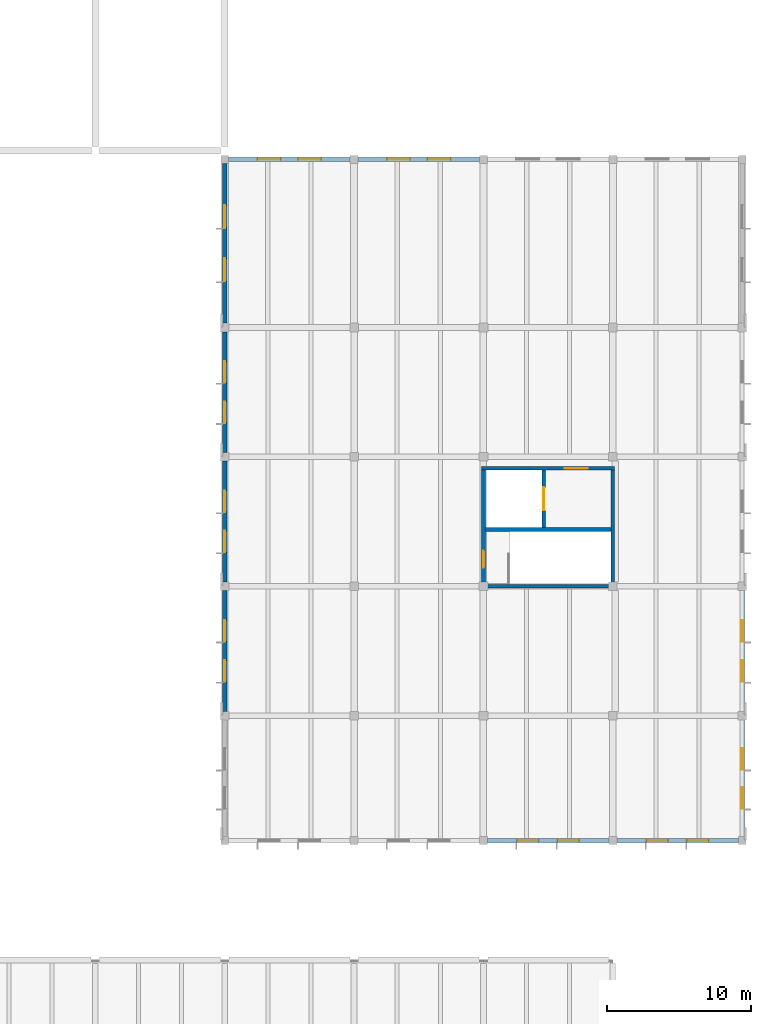
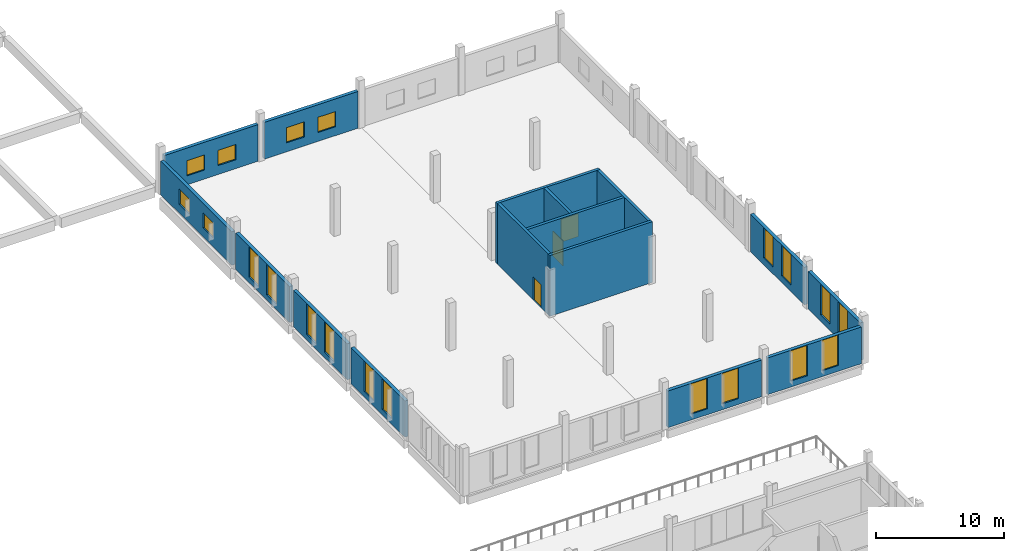
# One storey, part 15 of 25: 20 windows, 16 walls, 3 doors, 23 openings.
"""IFC4 building model written with IfcOpenShell, lengths in metres."""

from ifc_helpers import new_model, si_unit, direction, frame, frame_2d, origin, place, context, subcontext, project, spatial, rectangle, extrude, material, layer, layer_set, type_object, element, fill, save


model = new_model("IFC4")

# Units and contexts
model_context = context("Model", 3, precision=1e-05, world=origin(), true_north=direction((0.0, 1.0)))
body_context = subcontext(model_context, "Body", "Model", "MODEL_VIEW")
ifc_project = project(units=[si_unit("LENGTHUNIT", "METRE"), si_unit("AREAUNIT", "SQUARE_METRE"), si_unit("VOLUMEUNIT", "CUBIC_METRE"), si_unit("PLANEANGLEUNIT", "RADIAN"), si_unit("MASSUNIT", "GRAM", prefix="KILO")], contexts=[model_context])

# Site, building, storey
site_placement = place(None, origin())
site = spatial("IfcSite", under=ifc_project, at=site_placement, CompositionType="ELEMENT")
building_placement = place(site_placement, origin())
building = spatial("IfcBuilding", under=site, at=building_placement, Name="Zacnel Wholesale Market", CompositionType="ELEMENT")
storey_placement = place(building_placement, frame((0.0, 0.0, 15.75)))
storey = spatial("IfcBuildingStorey", under=building, at=storey_placement, Name="L04", CompositionType="ELEMENT", Elevation=15.75)

# Wall
ifc_material_1 = material(Name="Concrete C40/50", Category="concrete")
ifc_layer_1 = layer(ifc_material_1, 0.25)
ifc_layer_set_1 = layer_set([ifc_layer_1], Name="Concrete C40/50")
wall_type_1 = type_object("IfcWallType", Name="WL-CORE-SW250", PredefinedType="SOLIDWALL", material=ifc_layer_set_1)
wall_1_placement = place(storey_placement, frame((197.875, 66.0, 0.0), z_axis=(0.0, 0.0, 1.0), x_axis=(1.0, 0.0, 0.0)))
element("IfcWall", 1, at=wall_1_placement, inside=storey, type_object=wall_type_1, Name="Core C7 south shear wall L04", PredefinedType="SOLIDWALL", context=body_context, shape_type="SweptSolid", body=[
    extrude(rectangle(XDim=9.25, YDim=0.25, at=frame_2d((4.625, 0.0))), origin(), (0.0, 0.0, 1.0), 5.800048828125),
])

# Wall, opening, door
wall_2_placement = place(storey_placement, frame((197.875, 74.199951171875, 0.0), z_axis=(0.0, 0.0, 1.0), x_axis=(1.0, 0.0, 0.0)))
wall_2 = element("IfcWall", 2, at=wall_2_placement, inside=storey, type_object=wall_type_1, Name="Core C7 north shear wall L04", PredefinedType="SOLIDWALL", context=body_context, shape_type="SweptSolid", body=[
    extrude(rectangle(XDim=9.25, YDim=0.25, at=frame_2d((4.625, 0.0))), origin(), (0.0, 0.0, 1.0), 5.800048828125),
])
opening_1_placement = place(wall_2_placement, frame((5.77490234375, 0.0, 0.0)))
opening_1 = element("IfcOpeningElement", 3, at=opening_1_placement, cuts=wall_2, Name="Opening FD-02", PredefinedType="OPENING", context=body_context, shape_type="SweptSolid", body=[
    extrude(rectangle(XDim=1.60009765625, YDim=2.199951171875, at=frame_2d((0.800048828125, 1.10009765625))), frame((0.0, 0.135009765625, 0.0), z_axis=(0.0, -1.0, 0.0), x_axis=(1.0, 0.0, 0.0)), (0.0, 0.0, 1.0), 0.27001953125),
])
ifc_material_2 = material(Name="Galvanized steel", Category="steel")
door_type_1 = type_object("IfcDoorType", Name="DR-FIRE-LOBBY-1600", OperationType="NOTDEFINED", PredefinedType="DOOR", material=ifc_material_2)
door_1_placement = place(opening_1_placement, origin())
door_1 = element("IfcDoor", 4, at=door_1_placement, inside=storey, type_object=door_type_1, Name="Core lift lobby fire door C7 L04", OperationType="SINGLE_SWING_LEFT", OverallHeight=2.199951171875, OverallWidth=1.60009765625, PredefinedType="DOOR", context=body_context, shape_type="SweptSolid", body=[
    extrude(rectangle(XDim=1.60009765625, YDim=2.199951171875, at=frame_2d((0.800048828125, 1.10009765625))), frame((0.0, 0.02490234375, 0.0), z_axis=(0.0, -1.0, 0.0), x_axis=(1.0, 0.0, 0.0)), (0.0, 0.0, 1.0), 0.050048828125),
])
fill(opening_1, door_1)

wall_3_placement = place(storey_placement, frame((198.0, 66.125, 0.0), z_axis=(0.0, 0.0, 1.0), x_axis=(0.0, 1.0, 0.0)))
wall_3 = element("IfcWall", 5, at=wall_3_placement, inside=storey, type_object=wall_type_1, Name="Core C7 west shear wall L04", PredefinedType="SOLIDWALL", context=body_context, shape_type="SweptSolid", body=[
    extrude(rectangle(XDim=7.949951171875, YDim=0.25, at=frame_2d((3.97509765625, 0.0))), origin(), (0.0, 0.0, 1.0), 5.800048828125),
])
opening_2_placement = place(wall_3_placement, frame((1.14990234375, 0.0, 0.0)))
opening_2 = element("IfcOpeningElement", 6, at=opening_2_placement, cuts=wall_3, Name="Opening FD-01", PredefinedType="OPENING", context=body_context, shape_type="SweptSolid", body=[
    extrude(rectangle(XDim=1.199951171875, YDim=2.199951171875, at=frame_2d((0.60009765625, 1.10009765625))), frame((0.0, 0.135009765625, 0.0), z_axis=(0.0, -1.0, 0.0), x_axis=(1.0, 0.0, 0.0)), (0.0, 0.0, 1.0), 0.27001953125),
])
ifc_material_3 = material(Name="Galvanized steel", Category="steel")
door_type_2 = type_object("IfcDoorType", Name="DR-FIRE-STAIR-1200", OperationType="NOTDEFINED", PredefinedType="DOOR", material=ifc_material_3)
door_2_placement = place(opening_2_placement, origin())
door_2 = element("IfcDoor", 7, at=door_2_placement, inside=storey, type_object=door_type_2, Name="Protected stair fire door C7 L04", OperationType="SINGLE_SWING_RIGHT", OverallHeight=2.199951171875, OverallWidth=1.199951171875, PredefinedType="DOOR", context=body_context, shape_type="SweptSolid", body=[
    extrude(rectangle(XDim=1.199951171875, YDim=2.199951171875, at=frame_2d((0.60009765625, 1.10009765625))), frame((0.0, 0.02490234375, 0.0), z_axis=(0.0, -1.0, 0.0), x_axis=(1.0, 0.0, 0.0)), (0.0, 0.0, 1.0), 0.050048828125),
])
fill(opening_2, door_2)

# Walls
wall_4_placement = place(storey_placement, frame((207.0, 66.125, 0.0), z_axis=(0.0, 0.0, 1.0), x_axis=(0.0, 1.0, 0.0)))
element("IfcWall", 8, at=wall_4_placement, inside=storey, type_object=wall_type_1, Name="Core C7 east shear wall L04", PredefinedType="SOLIDWALL", context=body_context, shape_type="SweptSolid", body=[
    extrude(rectangle(XDim=7.949951171875, YDim=0.25, at=frame_2d((3.97509765625, 0.0))), origin(), (0.0, 0.0, 1.0), 5.800048828125),
])
wall_5_placement = place(storey_placement, frame((198.125, 69.949951171875, 0.0), z_axis=(0.0, 0.0, 1.0), x_axis=(1.0, 0.0, 0.0)))
element("IfcWall", 9, at=wall_5_placement, inside=storey, type_object=wall_type_1, Name="Core C7 stair-shaft shear wall L04", PredefinedType="SOLIDWALL", context=body_context, shape_type="SweptSolid", body=[
    extrude(rectangle(XDim=8.75, YDim=0.25, at=frame_2d((4.375, 0.0))), origin(), (0.0, 0.0, 1.0), 5.800048828125),
])

# Wall, opening, door
wall_6_placement = place(storey_placement, frame((202.199951171875, 70.074951171875, 0.0), z_axis=(0.0, 0.0, 1.0), x_axis=(0.0, 1.0, 0.0)))
wall_6 = element("IfcWall", 10, at=wall_6_placement, inside=storey, type_object=wall_type_1, Name="Core C7 lift shaft front wall L04", PredefinedType="SOLIDWALL", context=body_context, shape_type="SweptSolid", body=[
    extrude(rectangle(XDim=4.0, YDim=0.25, at=frame_2d((2.0, 0.0))), origin(), (0.0, 0.0, 1.0), 5.800048828125),
])
opening_3_placement = place(wall_6_placement, frame((1.199951171875, 0.0, 0.0)))
opening_3 = element("IfcOpeningElement", 11, at=opening_3_placement, cuts=wall_6, Name="Opening LD-02", PredefinedType="OPENING", context=body_context, shape_type="SweptSolid", body=[
    extrude(rectangle(XDim=1.60009765625, YDim=2.39990234375, at=frame_2d((0.800048828125, 1.199951171875))), frame((0.0, 0.135009765625, 0.0), z_axis=(0.0, -1.0, 0.0), x_axis=(1.0, 0.0, 0.0)), (0.0, 0.0, 1.0), 0.27001953125),
])
ifc_material_4 = material(Name="Galvanized steel", Category="steel")
door_type_3 = type_object("IfcDoorType", Name="DR-LIFT-GOODS-1600", OperationType="NOTDEFINED", PredefinedType="DOOR", material=ifc_material_4)
door_3_placement = place(opening_3_placement, origin())
door_3 = element("IfcDoor", 12, at=door_3_placement, inside=storey, type_object=door_type_3, Name="Lift landing door LG-04 L04", OperationType="SLIDING_TO_LEFT", OverallHeight=2.39990234375, OverallWidth=1.60009765625, PredefinedType="DOOR", context=body_context, shape_type="SweptSolid", body=[
    extrude(rectangle(XDim=1.60009765625, YDim=2.39990234375, at=frame_2d((0.800048828125, 1.199951171875))), frame((0.0, 0.02490234375, 0.0), z_axis=(0.0, -1.0, 0.0), x_axis=(1.0, 0.0, 0.0)), (0.0, 0.0, 1.0), 0.050048828125),
])
fill(opening_3, door_3)

# Wall, openings, windows
ifc_material_5 = material(Name="Precast concrete C40/50 (Cancun limestone aggregate)", Category="masonry")
ifc_layer_2 = layer(ifc_material_5, 0.300048828125)
ifc_layer_set_2 = layer_set([ifc_layer_2], Name="Precast concrete C40/50 (Cancun limestone aggregate)")
wall_type_2 = type_object("IfcWallType", Name="WL-EXT-LIME-300", PredefinedType="SOLIDWALL", material=ifc_layer_set_2)
wall_7_placement = place(storey_placement, frame((198.27490234375, 48.300048828125, 0.0), z_axis=(0.0, 0.0, 1.0), x_axis=(1.0, 0.0, 0.0)))
wall_7 = element("IfcWall", 13, at=wall_7_placement, inside=storey, type_object=wall_type_2, Name="Exterior wall L04-0502", PredefinedType="SOLIDWALL", context=body_context, shape_type="SweptSolid", body=[
    extrude(rectangle(XDim=8.4501953125, YDim=0.300048828125, at=frame_2d((4.22509765625, 0.0))), origin(), (0.0, 0.0, 1.0), 3.5),
])
opening_4_placement = place(wall_7_placement, frame((2.06689453125, 0.0, 0.56005859375)))
opening_4 = element("IfcOpeningElement", 14, at=opening_4_placement, cuts=wall_7, Name="Opening W-04", PredefinedType="OPENING", context=body_context, shape_type="SweptSolid", body=[
    extrude(rectangle(XDim=1.5, YDim=2.89990234375, at=frame_2d((0.75, 1.449951171875))), frame((0.0, 0.159912109375, 0.0), z_axis=(0.0, -1.0, 0.0), x_axis=(1.0, 0.0, 0.0)), (0.0, 0.0, 1.0), 0.320068359375),
])
opening_5_placement = place(wall_7_placement, frame((4.883056640625, 0.0, 0.56005859375)))
opening_5 = element("IfcOpeningElement", 15, at=opening_5_placement, cuts=wall_7, Name="Opening W-04", PredefinedType="OPENING", context=body_context, shape_type="SweptSolid", body=[
    extrude(rectangle(XDim=1.5, YDim=2.89990234375, at=frame_2d((0.75, 1.449951171875))), frame((0.0, 0.159912109375, 0.0), z_axis=(0.0, -1.0, 0.0), x_axis=(1.0, 0.0, 0.0)), (0.0, 0.0, 1.0), 0.320068359375),
])
ifc_material_6 = material(Name="Laminated hurricane-impact low-E insulated glass", Category="glass")
window_type_1 = type_object("IfcWindowType", Name="WIN-DEC-1500X2900", PartitioningType="DOUBLE_PANEL_VERTICAL", PredefinedType="WINDOW", material=ifc_material_6)
window_1_placement = place(opening_4_placement, origin())
window_1 = element("IfcWindow", 16, at=window_1_placement, inside=storey, type_object=window_type_1, Name="Window L04-0544", OverallHeight=2.89990234375, OverallWidth=1.5, PartitioningType="DOUBLE_PANEL_VERTICAL", PredefinedType="WINDOW", context=body_context, shape_type="SweptSolid", body=[
    extrude(rectangle(XDim=1.5, YDim=2.89990234375, at=frame_2d((0.75, 1.449951171875))), frame((0.0, 0.030029296875, 0.0), z_axis=(0.0, -1.0, 0.0), x_axis=(1.0, 0.0, 0.0)), (0.0, 0.0, 1.0), 0.06005859375),
])
fill(opening_4, window_1)
window_2_placement = place(opening_5_placement, origin())
window_2 = element("IfcWindow", 17, at=window_2_placement, inside=storey, type_object=window_type_1, Name="Window L04-0545", OverallHeight=2.89990234375, OverallWidth=1.5, PartitioningType="DOUBLE_PANEL_VERTICAL", PredefinedType="WINDOW", context=body_context, shape_type="SweptSolid", body=[
    extrude(rectangle(XDim=1.5, YDim=2.89990234375, at=frame_2d((0.75, 1.449951171875))), frame((0.0, 0.030029296875, 0.0), z_axis=(0.0, -1.0, 0.0), x_axis=(1.0, 0.0, 0.0)), (0.0, 0.0, 1.0), 0.06005859375),
])
fill(opening_5, window_2)

wall_8_placement = place(storey_placement, frame((207.27490234375, 48.300048828125, 0.0), z_axis=(0.0, 0.0, 1.0), x_axis=(1.0, 0.0, 0.0)))
wall_8 = element("IfcWall", 18, at=wall_8_placement, inside=storey, type_object=wall_type_2, Name="Exterior wall L04-0503", PredefinedType="SOLIDWALL", context=body_context, shape_type="SweptSolid", body=[
    extrude(rectangle(XDim=8.4501953125, YDim=0.300048828125, at=frame_2d((4.22509765625, 0.0))), origin(), (0.0, 0.0, 1.0), 3.5),
])
opening_6_placement = place(wall_8_placement, frame((2.06689453125, 0.0, 0.56005859375)))
opening_6 = element("IfcOpeningElement", 19, at=opening_6_placement, cuts=wall_8, Name="Opening W-04", PredefinedType="OPENING", context=body_context, shape_type="SweptSolid", body=[
    extrude(rectangle(XDim=1.5, YDim=2.89990234375, at=frame_2d((0.75, 1.449951171875))), frame((0.0, 0.159912109375, 0.0), z_axis=(0.0, -1.0, 0.0), x_axis=(1.0, 0.0, 0.0)), (0.0, 0.0, 1.0), 0.320068359375),
])
opening_7_placement = place(wall_8_placement, frame((4.883056640625, 0.0, 0.56005859375)))
opening_7 = element("IfcOpeningElement", 20, at=opening_7_placement, cuts=wall_8, Name="Opening W-04", PredefinedType="OPENING", context=body_context, shape_type="SweptSolid", body=[
    extrude(rectangle(XDim=1.5, YDim=2.89990234375, at=frame_2d((0.75, 1.449951171875))), frame((0.0, 0.159912109375, 0.0), z_axis=(0.0, -1.0, 0.0), x_axis=(1.0, 0.0, 0.0)), (0.0, 0.0, 1.0), 0.320068359375),
])
window_3_placement = place(opening_6_placement, origin())
window_3 = element("IfcWindow", 21, at=window_3_placement, inside=storey, type_object=window_type_1, Name="Window L04-0546", OverallHeight=2.89990234375, OverallWidth=1.5, PartitioningType="DOUBLE_PANEL_VERTICAL", PredefinedType="WINDOW", context=body_context, shape_type="SweptSolid", body=[
    extrude(rectangle(XDim=1.5, YDim=2.89990234375, at=frame_2d((0.75, 1.449951171875))), frame((0.0, 0.030029296875, 0.0), z_axis=(0.0, -1.0, 0.0), x_axis=(1.0, 0.0, 0.0)), (0.0, 0.0, 1.0), 0.06005859375),
])
fill(opening_6, window_3)
window_4_placement = place(opening_7_placement, origin())
window_4 = element("IfcWindow", 22, at=window_4_placement, inside=storey, type_object=window_type_1, Name="Window L04-0547", OverallHeight=2.89990234375, OverallWidth=1.5, PartitioningType="DOUBLE_PANEL_VERTICAL", PredefinedType="WINDOW", context=body_context, shape_type="SweptSolid", body=[
    extrude(rectangle(XDim=1.5, YDim=2.89990234375, at=frame_2d((0.75, 1.449951171875))), frame((0.0, 0.030029296875, 0.0), z_axis=(0.0, -1.0, 0.0), x_axis=(1.0, 0.0, 0.0)), (0.0, 0.0, 1.0), 0.06005859375),
])
fill(opening_7, window_4)

wall_9_placement = place(storey_placement, frame((180.27490234375, 95.699951171875, 0.0), z_axis=(0.0, 0.0, 1.0), x_axis=(1.0, 0.0, 0.0)))
wall_9 = element("IfcWall", 23, at=wall_9_placement, inside=storey, type_object=wall_type_2, Name="Exterior wall L04-0504", PredefinedType="SOLIDWALL", context=body_context, shape_type="SweptSolid", body=[
    extrude(rectangle(XDim=8.4501953125, YDim=0.300048828125, at=frame_2d((4.22509765625, 0.0))), origin(), (0.0, 0.0, 1.0), 3.5),
])
opening_8_placement = place(wall_9_placement, frame((2.01708984375, 0.0, 0.85009765625)))
opening_8 = element("IfcOpeningElement", 24, at=opening_8_placement, cuts=wall_9, Name="Opening W-06", PredefinedType="OPENING", context=body_context, shape_type="SweptSolid", body=[
    extrude(rectangle(XDim=1.60009765625, YDim=1.449951171875, at=frame_2d((0.800048828125, 0.72509765625))), frame((0.0, 0.159912109375, 0.0), z_axis=(0.0, -1.0, 0.0), x_axis=(1.0, 0.0, 0.0)), (0.0, 0.0, 1.0), 0.320068359375),
])
opening_9_placement = place(wall_9_placement, frame((4.8330078125, 0.0, 0.85009765625)))
opening_9 = element("IfcOpeningElement", 25, at=opening_9_placement, cuts=wall_9, Name="Opening W-06", PredefinedType="OPENING", context=body_context, shape_type="SweptSolid", body=[
    extrude(rectangle(XDim=1.60009765625, YDim=1.449951171875, at=frame_2d((0.800048828125, 0.72509765625))), frame((0.0, 0.159912109375, 0.0), z_axis=(0.0, -1.0, 0.0), x_axis=(1.0, 0.0, 0.0)), (0.0, 0.0, 1.0), 0.320068359375),
])
ifc_material_7 = material(Name="Laminated hurricane-impact low-E insulated glass", Category="glass")
window_type_2 = type_object("IfcWindowType", Name="WIN-HIG-1600X1450", PartitioningType="DOUBLE_PANEL_HORIZONTAL", PredefinedType="WINDOW", material=ifc_material_7)
window_5_placement = place(opening_8_placement, origin())
window_5 = element("IfcWindow", 26, at=window_5_placement, inside=storey, type_object=window_type_2, Name="Window L04-0548", OverallHeight=1.449951171875, OverallWidth=1.60009765625, PartitioningType="DOUBLE_PANEL_HORIZONTAL", PredefinedType="WINDOW", context=body_context, shape_type="SweptSolid", body=[
    extrude(rectangle(XDim=1.60009765625, YDim=1.449951171875, at=frame_2d((0.800048828125, 0.72509765625))), frame((0.0, 0.030029296875, 0.0), z_axis=(0.0, -1.0, 0.0), x_axis=(1.0, 0.0, 0.0)), (0.0, 0.0, 1.0), 0.06005859375),
])
fill(opening_8, window_5)
window_6_placement = place(opening_9_placement, origin())
window_6 = element("IfcWindow", 27, at=window_6_placement, inside=storey, type_object=window_type_2, Name="Window L04-0549", OverallHeight=1.449951171875, OverallWidth=1.60009765625, PartitioningType="DOUBLE_PANEL_HORIZONTAL", PredefinedType="WINDOW", context=body_context, shape_type="SweptSolid", body=[
    extrude(rectangle(XDim=1.60009765625, YDim=1.449951171875, at=frame_2d((0.800048828125, 0.72509765625))), frame((0.0, 0.030029296875, 0.0), z_axis=(0.0, -1.0, 0.0), x_axis=(1.0, 0.0, 0.0)), (0.0, 0.0, 1.0), 0.06005859375),
])
fill(opening_9, window_6)

wall_10_placement = place(storey_placement, frame((189.27490234375, 95.699951171875, 0.0), z_axis=(0.0, 0.0, 1.0), x_axis=(1.0, 0.0, 0.0)))
wall_10 = element("IfcWall", 28, at=wall_10_placement, inside=storey, type_object=wall_type_2, Name="Exterior wall L04-0505", PredefinedType="SOLIDWALL", context=body_context, shape_type="SweptSolid", body=[
    extrude(rectangle(XDim=8.4501953125, YDim=0.300048828125, at=frame_2d((4.22509765625, 0.0))), origin(), (0.0, 0.0, 1.0), 3.5),
])
opening_10_placement = place(wall_10_placement, frame((2.01708984375, 0.0, 0.85009765625)))
opening_10 = element("IfcOpeningElement", 29, at=opening_10_placement, cuts=wall_10, Name="Opening W-06", PredefinedType="OPENING", context=body_context, shape_type="SweptSolid", body=[
    extrude(rectangle(XDim=1.60009765625, YDim=1.449951171875, at=frame_2d((0.800048828125, 0.72509765625))), frame((0.0, 0.159912109375, 0.0), z_axis=(0.0, -1.0, 0.0), x_axis=(1.0, 0.0, 0.0)), (0.0, 0.0, 1.0), 0.320068359375),
])
opening_11_placement = place(wall_10_placement, frame((4.8330078125, 0.0, 0.85009765625)))
opening_11 = element("IfcOpeningElement", 30, at=opening_11_placement, cuts=wall_10, Name="Opening W-06", PredefinedType="OPENING", context=body_context, shape_type="SweptSolid", body=[
    extrude(rectangle(XDim=1.60009765625, YDim=1.449951171875, at=frame_2d((0.800048828125, 0.72509765625))), frame((0.0, 0.159912109375, 0.0), z_axis=(0.0, -1.0, 0.0), x_axis=(1.0, 0.0, 0.0)), (0.0, 0.0, 1.0), 0.320068359375),
])
window_7_placement = place(opening_10_placement, origin())
window_7 = element("IfcWindow", 31, at=window_7_placement, inside=storey, type_object=window_type_2, Name="Window L04-0550", OverallHeight=1.449951171875, OverallWidth=1.60009765625, PartitioningType="DOUBLE_PANEL_HORIZONTAL", PredefinedType="WINDOW", context=body_context, shape_type="SweptSolid", body=[
    extrude(rectangle(XDim=1.60009765625, YDim=1.449951171875, at=frame_2d((0.800048828125, 0.72509765625))), frame((0.0, 0.030029296875, 0.0), z_axis=(0.0, -1.0, 0.0), x_axis=(1.0, 0.0, 0.0)), (0.0, 0.0, 1.0), 0.06005859375),
])
fill(opening_10, window_7)
window_8_placement = place(opening_11_placement, origin())
window_8 = element("IfcWindow", 32, at=window_8_placement, inside=storey, type_object=window_type_2, Name="Window L04-0551", OverallHeight=1.449951171875, OverallWidth=1.60009765625, PartitioningType="DOUBLE_PANEL_HORIZONTAL", PredefinedType="WINDOW", context=body_context, shape_type="SweptSolid", body=[
    extrude(rectangle(XDim=1.60009765625, YDim=1.449951171875, at=frame_2d((0.800048828125, 0.72509765625))), frame((0.0, 0.030029296875, 0.0), z_axis=(0.0, -1.0, 0.0), x_axis=(1.0, 0.0, 0.0)), (0.0, 0.0, 1.0), 0.06005859375),
])
fill(opening_11, window_8)

wall_11_placement = place(storey_placement, frame((180.0, 57.300048828125, 0.0), z_axis=(0.0, 0.0, 1.0), x_axis=(0.0, 1.0, 0.0)))
wall_11 = element("IfcWall", 33, at=wall_11_placement, inside=storey, type_object=wall_type_2, Name="Exterior wall L04-0509", PredefinedType="SOLIDWALL", context=body_context, shape_type="SweptSolid", body=[
    extrude(rectangle(XDim=8.39990234375, YDim=0.300048828125, at=frame_2d((4.199951171875, 0.0))), origin(), (0.0, 0.0, 1.0), 3.449951171875),
])
opening_12_placement = place(wall_11_placement, frame((2.050048828125, 0.0, 0.510009765625)))
opening_12 = element("IfcOpeningElement", 34, at=opening_12_placement, cuts=wall_11, Name="Opening W-04", PredefinedType="OPENING", context=body_context, shape_type="SweptSolid", body=[
    extrude(rectangle(XDim=1.5, YDim=2.89990234375, at=frame_2d((0.75, 1.449951171875))), frame((0.0, 0.159912109375, 0.0), z_axis=(0.0, -1.0, 0.0), x_axis=(1.0, 0.0, 0.0)), (0.0, 0.0, 1.0), 0.320068359375),
])
opening_13_placement = place(wall_11_placement, frame((4.85009765625, 0.0, 0.510009765625)))
opening_13 = element("IfcOpeningElement", 35, at=opening_13_placement, cuts=wall_11, Name="Opening W-04", PredefinedType="OPENING", context=body_context, shape_type="SweptSolid", body=[
    extrude(rectangle(XDim=1.5, YDim=2.89990234375, at=frame_2d((0.75, 1.449951171875))), frame((0.0, 0.159912109375, 0.0), z_axis=(0.0, -1.0, 0.0), x_axis=(1.0, 0.0, 0.0)), (0.0, 0.0, 1.0), 0.320068359375),
])
window_9_placement = place(opening_12_placement, origin())
window_9 = element("IfcWindow", 36, at=window_9_placement, inside=storey, type_object=window_type_1, Name="Window L04-0558", OverallHeight=2.89990234375, OverallWidth=1.5, PartitioningType="DOUBLE_PANEL_VERTICAL", PredefinedType="WINDOW", context=body_context, shape_type="SweptSolid", body=[
    extrude(rectangle(XDim=1.5, YDim=2.89990234375, at=frame_2d((0.75, 1.449951171875))), frame((0.0, 0.030029296875, 0.0), z_axis=(0.0, -1.0, 0.0), x_axis=(1.0, 0.0, 0.0)), (0.0, 0.0, 1.0), 0.06005859375),
])
fill(opening_12, window_9)
window_10_placement = place(opening_13_placement, origin())
window_10 = element("IfcWindow", 37, at=window_10_placement, inside=storey, type_object=window_type_1, Name="Window L04-0559", OverallHeight=2.89990234375, OverallWidth=1.5, PartitioningType="DOUBLE_PANEL_VERTICAL", PredefinedType="WINDOW", context=body_context, shape_type="SweptSolid", body=[
    extrude(rectangle(XDim=1.5, YDim=2.89990234375, at=frame_2d((0.75, 1.449951171875))), frame((0.0, 0.030029296875, 0.0), z_axis=(0.0, -1.0, 0.0), x_axis=(1.0, 0.0, 0.0)), (0.0, 0.0, 1.0), 0.06005859375),
])
fill(opening_13, window_10)

wall_12_placement = place(storey_placement, frame((180.0, 66.300048828125, 0.0), z_axis=(0.0, 0.0, 1.0), x_axis=(0.0, 1.0, 0.0)))
wall_12 = element("IfcWall", 38, at=wall_12_placement, inside=storey, type_object=wall_type_2, Name="Exterior wall L04-0510", PredefinedType="SOLIDWALL", context=body_context, shape_type="SweptSolid", body=[
    extrude(rectangle(XDim=8.39990234375, YDim=0.300048828125, at=frame_2d((4.199951171875, 0.0))), origin(), (0.0, 0.0, 1.0), 3.449951171875),
])
opening_14_placement = place(wall_12_placement, frame((2.050048828125, 0.0, 0.510009765625)))
opening_14 = element("IfcOpeningElement", 39, at=opening_14_placement, cuts=wall_12, Name="Opening W-04", PredefinedType="OPENING", context=body_context, shape_type="SweptSolid", body=[
    extrude(rectangle(XDim=1.5, YDim=2.89990234375, at=frame_2d((0.75, 1.449951171875))), frame((0.0, 0.159912109375, 0.0), z_axis=(0.0, -1.0, 0.0), x_axis=(1.0, 0.0, 0.0)), (0.0, 0.0, 1.0), 0.320068359375),
])
opening_15_placement = place(wall_12_placement, frame((4.85009765625, 0.0, 0.510009765625)))
opening_15 = element("IfcOpeningElement", 40, at=opening_15_placement, cuts=wall_12, Name="Opening W-04", PredefinedType="OPENING", context=body_context, shape_type="SweptSolid", body=[
    extrude(rectangle(XDim=1.5, YDim=2.89990234375, at=frame_2d((0.75, 1.449951171875))), frame((0.0, 0.159912109375, 0.0), z_axis=(0.0, -1.0, 0.0), x_axis=(1.0, 0.0, 0.0)), (0.0, 0.0, 1.0), 0.320068359375),
])
window_11_placement = place(opening_14_placement, origin())
window_11 = element("IfcWindow", 41, at=window_11_placement, inside=storey, type_object=window_type_1, Name="Window L04-0560", OverallHeight=2.89990234375, OverallWidth=1.5, PartitioningType="DOUBLE_PANEL_VERTICAL", PredefinedType="WINDOW", context=body_context, shape_type="SweptSolid", body=[
    extrude(rectangle(XDim=1.5, YDim=2.89990234375, at=frame_2d((0.75, 1.449951171875))), frame((0.0, 0.030029296875, 0.0), z_axis=(0.0, -1.0, 0.0), x_axis=(1.0, 0.0, 0.0)), (0.0, 0.0, 1.0), 0.06005859375),
])
fill(opening_14, window_11)
window_12_placement = place(opening_15_placement, origin())
window_12 = element("IfcWindow", 42, at=window_12_placement, inside=storey, type_object=window_type_1, Name="Window L04-0561", OverallHeight=2.89990234375, OverallWidth=1.5, PartitioningType="DOUBLE_PANEL_VERTICAL", PredefinedType="WINDOW", context=body_context, shape_type="SweptSolid", body=[
    extrude(rectangle(XDim=1.5, YDim=2.89990234375, at=frame_2d((0.75, 1.449951171875))), frame((0.0, 0.030029296875, 0.0), z_axis=(0.0, -1.0, 0.0), x_axis=(1.0, 0.0, 0.0)), (0.0, 0.0, 1.0), 0.06005859375),
])
fill(opening_15, window_12)

wall_13_placement = place(storey_placement, frame((180.0, 75.300048828125, 0.0), z_axis=(0.0, 0.0, 1.0), x_axis=(0.0, 1.0, 0.0)))
wall_13 = element("IfcWall", 43, at=wall_13_placement, inside=storey, type_object=wall_type_2, Name="Exterior wall L04-0511", PredefinedType="SOLIDWALL", context=body_context, shape_type="SweptSolid", body=[
    extrude(rectangle(XDim=8.39990234375, YDim=0.300048828125, at=frame_2d((4.199951171875, 0.0))), origin(), (0.0, 0.0, 1.0), 3.449951171875),
])
opening_16_placement = place(wall_13_placement, frame((2.050048828125, 0.0, 0.510009765625)))
opening_16 = element("IfcOpeningElement", 44, at=opening_16_placement, cuts=wall_13, Name="Opening W-04", PredefinedType="OPENING", context=body_context, shape_type="SweptSolid", body=[
    extrude(rectangle(XDim=1.5, YDim=2.89990234375, at=frame_2d((0.75, 1.449951171875))), frame((0.0, 0.159912109375, 0.0), z_axis=(0.0, -1.0, 0.0), x_axis=(1.0, 0.0, 0.0)), (0.0, 0.0, 1.0), 0.320068359375),
])
opening_17_placement = place(wall_13_placement, frame((4.85009765625, 0.0, 0.510009765625)))
opening_17 = element("IfcOpeningElement", 45, at=opening_17_placement, cuts=wall_13, Name="Opening W-04", PredefinedType="OPENING", context=body_context, shape_type="SweptSolid", body=[
    extrude(rectangle(XDim=1.5, YDim=2.89990234375, at=frame_2d((0.75, 1.449951171875))), frame((0.0, 0.159912109375, 0.0), z_axis=(0.0, -1.0, 0.0), x_axis=(1.0, 0.0, 0.0)), (0.0, 0.0, 1.0), 0.320068359375),
])
window_13_placement = place(opening_16_placement, origin())
window_13 = element("IfcWindow", 46, at=window_13_placement, inside=storey, type_object=window_type_1, Name="Window L04-0562", OverallHeight=2.89990234375, OverallWidth=1.5, PartitioningType="DOUBLE_PANEL_VERTICAL", PredefinedType="WINDOW", context=body_context, shape_type="SweptSolid", body=[
    extrude(rectangle(XDim=1.5, YDim=2.89990234375, at=frame_2d((0.75, 1.449951171875))), frame((0.0, 0.030029296875, 0.0), z_axis=(0.0, -1.0, 0.0), x_axis=(1.0, 0.0, 0.0)), (0.0, 0.0, 1.0), 0.06005859375),
])
fill(opening_16, window_13)
window_14_placement = place(opening_17_placement, origin())
window_14 = element("IfcWindow", 47, at=window_14_placement, inside=storey, type_object=window_type_1, Name="Window L04-0563", OverallHeight=2.89990234375, OverallWidth=1.5, PartitioningType="DOUBLE_PANEL_VERTICAL", PredefinedType="WINDOW", context=body_context, shape_type="SweptSolid", body=[
    extrude(rectangle(XDim=1.5, YDim=2.89990234375, at=frame_2d((0.75, 1.449951171875))), frame((0.0, 0.030029296875, 0.0), z_axis=(0.0, -1.0, 0.0), x_axis=(1.0, 0.0, 0.0)), (0.0, 0.0, 1.0), 0.06005859375),
])
fill(opening_17, window_14)

wall_14_placement = place(storey_placement, frame((180.0, 84.300048828125, 0.0), z_axis=(0.0, 0.0, 1.0), x_axis=(0.0, 1.0, 0.0)))
wall_14 = element("IfcWall", 48, at=wall_14_placement, inside=storey, type_object=wall_type_2, Name="Exterior wall L04-0512", PredefinedType="SOLIDWALL", context=body_context, shape_type="SweptSolid", body=[
    extrude(rectangle(XDim=11.125, YDim=0.300048828125, at=frame_2d((5.5625, 0.0))), origin(), (0.0, 0.0, 1.0), 3.199951171875),
])
opening_18_placement = place(wall_14_placement, frame((2.907958984375, 0.0, 0.85009765625)))
opening_18 = element("IfcOpeningElement", 49, at=opening_18_placement, cuts=wall_14, Name="Opening W-06", PredefinedType="OPENING", context=body_context, shape_type="SweptSolid", body=[
    extrude(rectangle(XDim=1.60009765625, YDim=1.449951171875, at=frame_2d((0.800048828125, 0.72509765625))), frame((0.0, 0.159912109375, 0.0), z_axis=(0.0, -1.0, 0.0), x_axis=(1.0, 0.0, 0.0)), (0.0, 0.0, 1.0), 0.320068359375),
])
opening_19_placement = place(wall_14_placement, frame((6.616943359375, 0.0, 0.85009765625)))
opening_19 = element("IfcOpeningElement", 50, at=opening_19_placement, cuts=wall_14, Name="Opening W-06", PredefinedType="OPENING", context=body_context, shape_type="SweptSolid", body=[
    extrude(rectangle(XDim=1.60009765625, YDim=1.449951171875, at=frame_2d((0.800048828125, 0.72509765625))), frame((0.0, 0.159912109375, 0.0), z_axis=(0.0, -1.0, 0.0), x_axis=(1.0, 0.0, 0.0)), (0.0, 0.0, 1.0), 0.320068359375),
])
window_15_placement = place(opening_18_placement, origin())
window_15 = element("IfcWindow", 51, at=window_15_placement, inside=storey, type_object=window_type_2, Name="Window L04-0564", OverallHeight=1.449951171875, OverallWidth=1.60009765625, PartitioningType="DOUBLE_PANEL_HORIZONTAL", PredefinedType="WINDOW", context=body_context, shape_type="SweptSolid", body=[
    extrude(rectangle(XDim=1.60009765625, YDim=1.449951171875, at=frame_2d((0.800048828125, 0.72509765625))), frame((0.0, 0.030029296875, 0.0), z_axis=(0.0, -1.0, 0.0), x_axis=(1.0, 0.0, 0.0)), (0.0, 0.0, 1.0), 0.06005859375),
])
fill(opening_18, window_15)
window_16_placement = place(opening_19_placement, origin())
window_16 = element("IfcWindow", 52, at=window_16_placement, inside=storey, type_object=window_type_2, Name="Window L04-0565", OverallHeight=1.449951171875, OverallWidth=1.60009765625, PartitioningType="DOUBLE_PANEL_HORIZONTAL", PredefinedType="WINDOW", context=body_context, shape_type="SweptSolid", body=[
    extrude(rectangle(XDim=1.60009765625, YDim=1.449951171875, at=frame_2d((0.800048828125, 0.72509765625))), frame((0.0, 0.030029296875, 0.0), z_axis=(0.0, -1.0, 0.0), x_axis=(1.0, 0.0, 0.0)), (0.0, 0.0, 1.0), 0.06005859375),
])
fill(opening_19, window_16)

wall_15_placement = place(storey_placement, frame((216.0, 48.574951171875, 0.0), z_axis=(0.0, 0.0, 1.0), x_axis=(0.0, 1.0, 0.0)))
wall_15 = element("IfcWall", 53, at=wall_15_placement, inside=storey, type_object=wall_type_2, Name="Exterior wall L04-0513", PredefinedType="SOLIDWALL", context=body_context, shape_type="SweptSolid", body=[
    extrude(rectangle(XDim=8.125, YDim=0.300048828125, at=frame_2d((4.0625, 0.0))), origin(), (0.0, 0.0, 1.0), 3.570068359375),
])
opening_20_placement = place(wall_15_placement, frame((1.9580078125, 0.0, 0.6298828125)))
opening_20 = element("IfcOpeningElement", 54, at=opening_20_placement, cuts=wall_15, Name="Opening W-04", PredefinedType="OPENING", context=body_context, shape_type="SweptSolid", body=[
    extrude(rectangle(XDim=1.5, YDim=2.89990234375, at=frame_2d((0.75, 1.449951171875))), frame((0.0, 0.159912109375, 0.0), z_axis=(0.0, -1.0, 0.0), x_axis=(1.0, 0.0, 0.0)), (0.0, 0.0, 1.0), 0.320068359375),
])
opening_21_placement = place(wall_15_placement, frame((4.6669921875, 0.0, 0.6298828125)))
opening_21 = element("IfcOpeningElement", 55, at=opening_21_placement, cuts=wall_15, Name="Opening W-04", PredefinedType="OPENING", context=body_context, shape_type="SweptSolid", body=[
    extrude(rectangle(XDim=1.5, YDim=2.89990234375, at=frame_2d((0.75, 1.449951171875))), frame((0.0, 0.159912109375, 0.0), z_axis=(0.0, -1.0, 0.0), x_axis=(1.0, 0.0, 0.0)), (0.0, 0.0, 1.0), 0.320068359375),
])
window_17_placement = place(opening_20_placement, origin())
window_17 = element("IfcWindow", 56, at=window_17_placement, inside=storey, type_object=window_type_1, Name="Window L04-0566", OverallHeight=2.89990234375, OverallWidth=1.5, PartitioningType="DOUBLE_PANEL_VERTICAL", PredefinedType="WINDOW", context=body_context, shape_type="SweptSolid", body=[
    extrude(rectangle(XDim=1.5, YDim=2.89990234375, at=frame_2d((0.75, 1.449951171875))), frame((0.0, 0.030029296875, 0.0), z_axis=(0.0, -1.0, 0.0), x_axis=(1.0, 0.0, 0.0)), (0.0, 0.0, 1.0), 0.06005859375),
])
fill(opening_20, window_17)
window_18_placement = place(opening_21_placement, origin())
window_18 = element("IfcWindow", 57, at=window_18_placement, inside=storey, type_object=window_type_1, Name="Window L04-0567", OverallHeight=2.89990234375, OverallWidth=1.5, PartitioningType="DOUBLE_PANEL_VERTICAL", PredefinedType="WINDOW", context=body_context, shape_type="SweptSolid", body=[
    extrude(rectangle(XDim=1.5, YDim=2.89990234375, at=frame_2d((0.75, 1.449951171875))), frame((0.0, 0.030029296875, 0.0), z_axis=(0.0, -1.0, 0.0), x_axis=(1.0, 0.0, 0.0)), (0.0, 0.0, 1.0), 0.06005859375),
])
fill(opening_21, window_18)

wall_16_placement = place(storey_placement, frame((216.0, 57.300048828125, 0.0), z_axis=(0.0, 0.0, 1.0), x_axis=(0.0, 1.0, 0.0)))
wall_16 = element("IfcWall", 58, at=wall_16_placement, inside=storey, type_object=wall_type_2, Name="Exterior wall L04-0514", PredefinedType="SOLIDWALL", context=body_context, shape_type="SweptSolid", body=[
    extrude(rectangle(XDim=8.39990234375, YDim=0.300048828125, at=frame_2d((4.199951171875, 0.0))), origin(), (0.0, 0.0, 1.0), 3.570068359375),
])
opening_22_placement = place(wall_16_placement, frame((2.050048828125, 0.0, 0.6298828125)))
opening_22 = element("IfcOpeningElement", 59, at=opening_22_placement, cuts=wall_16, Name="Opening W-04", PredefinedType="OPENING", context=body_context, shape_type="SweptSolid", body=[
    extrude(rectangle(XDim=1.5, YDim=2.89990234375, at=frame_2d((0.75, 1.449951171875))), frame((0.0, 0.159912109375, 0.0), z_axis=(0.0, -1.0, 0.0), x_axis=(1.0, 0.0, 0.0)), (0.0, 0.0, 1.0), 0.320068359375),
])
opening_23_placement = place(wall_16_placement, frame((4.85009765625, 0.0, 0.6298828125)))
opening_23 = element("IfcOpeningElement", 60, at=opening_23_placement, cuts=wall_16, Name="Opening W-04", PredefinedType="OPENING", context=body_context, shape_type="SweptSolid", body=[
    extrude(rectangle(XDim=1.5, YDim=2.89990234375, at=frame_2d((0.75, 1.449951171875))), frame((0.0, 0.159912109375, 0.0), z_axis=(0.0, -1.0, 0.0), x_axis=(1.0, 0.0, 0.0)), (0.0, 0.0, 1.0), 0.320068359375),
])
window_19_placement = place(opening_22_placement, origin())
window_19 = element("IfcWindow", 61, at=window_19_placement, inside=storey, type_object=window_type_1, Name="Window L04-0568", OverallHeight=2.89990234375, OverallWidth=1.5, PartitioningType="DOUBLE_PANEL_VERTICAL", PredefinedType="WINDOW", context=body_context, shape_type="SweptSolid", body=[
    extrude(rectangle(XDim=1.5, YDim=2.89990234375, at=frame_2d((0.75, 1.449951171875))), frame((0.0, 0.030029296875, 0.0), z_axis=(0.0, -1.0, 0.0), x_axis=(1.0, 0.0, 0.0)), (0.0, 0.0, 1.0), 0.06005859375),
])
fill(opening_22, window_19)
window_20_placement = place(opening_23_placement, origin())
window_20 = element("IfcWindow", 62, at=window_20_placement, inside=storey, type_object=window_type_1, Name="Window L04-0569", OverallHeight=2.89990234375, OverallWidth=1.5, PartitioningType="DOUBLE_PANEL_VERTICAL", PredefinedType="WINDOW", context=body_context, shape_type="SweptSolid", body=[
    extrude(rectangle(XDim=1.5, YDim=2.89990234375, at=frame_2d((0.75, 1.449951171875))), frame((0.0, 0.030029296875, 0.0), z_axis=(0.0, -1.0, 0.0), x_axis=(1.0, 0.0, 0.0)), (0.0, 0.0, 1.0), 0.06005859375),
])
fill(opening_23, window_20)

save(model, "model.ifc")
